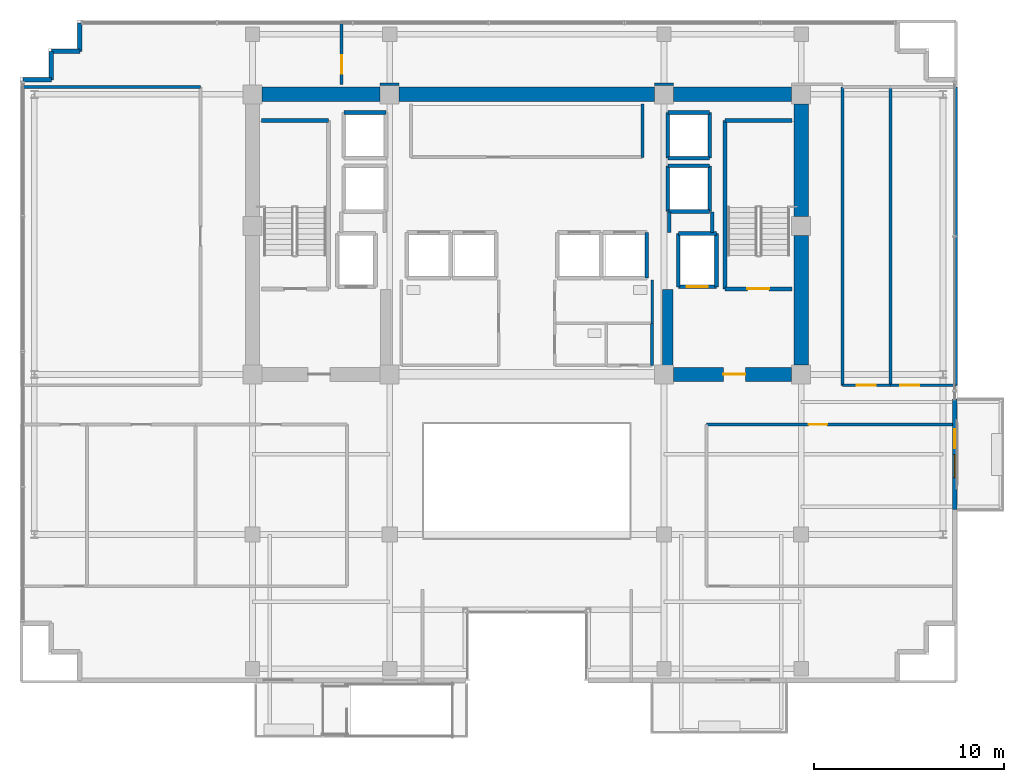
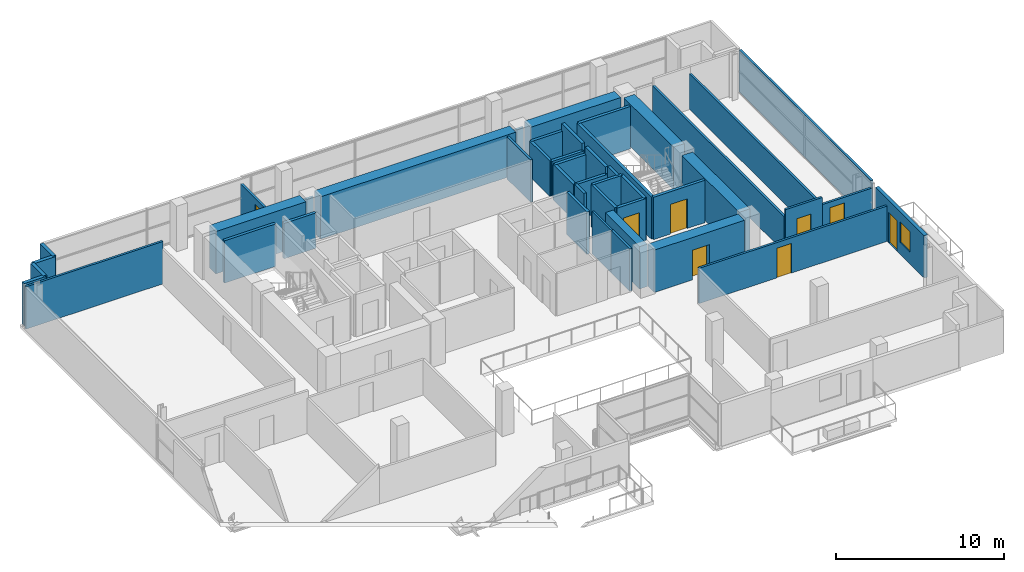
# One storey, part 19 of 23: 45 walls, 8 doors, 1 window, 9 openings.
"""IFC4 building model written with IfcOpenShell, lengths in metres."""

import ifcopenshell
import ifcopenshell.guid

model = None  # the IFC model being written
_history = None  # IfcOwnerHistory: only IFC2X3 demands one
_inside = {}  # id of a spatial element -> (the spatial element, [elements in it])
_under = {}  # id of a project, library or spatial element -> (it, [spatial elements below it])
_declared = {}  # id of a project -> (the project, [libraries it declares])
_typed = {}  # id of a type object -> (the type object, [elements of that type])
_made_of = {}  # id of a material, layer set ... -> (it, [elements and type objects made of it])


def new_model(schema):
    """Start an empty IFC model of exactly this schema.

    Asked for "IFC4X3", IfcOpenShell would pick the latest addendum, in which some entities
    have other attributes; the version numbers below select the first issue.
    IFC2X3 requires an IfcOwnerHistory on every rooted entity: one is made here for all.
    """
    global model, _history
    if schema == "IFC4X3":
        model = ifcopenshell.file(schema_version=(4, 3, 0, 0))
    else:
        model = ifcopenshell.file(schema=schema)
    _inside.clear()
    _under.clear()
    _declared.clear()
    _typed.clear()
    _made_of.clear()
    _history = None
    if model.schema == "IFC2X3":
        org = make("IfcOrganization", Name="unknown")
        user = make(
            "IfcPersonAndOrganization",
            ThePerson=make("IfcPerson", FamilyName="unknown"),
            TheOrganization=org,
        )
        app = make(
            "IfcApplication",
            ApplicationDeveloper=org,
            Version="unknown",
            ApplicationFullName="unknown",
            ApplicationIdentifier="unknown",
        )
        _history = make(
            "IfcOwnerHistory",
            OwningUser=user,
            OwningApplication=app,
            ChangeAction="ADDED",
            CreationDate=0,
        )
    return model


def make(cls, **values):
    """One entity of the class cls with the attributes given. An attribute that is None is left unset."""
    return model.create_entity(
        cls, **{name: value for name, value in values.items() if value is not None}
    )


def rooted(cls, **values):
    """An entity with a GlobalId (a new one), such as an element, a storey or a relation."""
    return make(cls, GlobalId=ifcopenshell.guid.new(), OwnerHistory=_history, **values)


def si_unit(unit_type, name, prefix=None):
    """IfcSIUnit, for example si_unit("LENGTHUNIT", "METRE", prefix="MILLI")."""
    return make("IfcSIUnit", UnitType=unit_type, Prefix=prefix, Name=name)


def assignment(units):
    """IfcUnitAssignment: the units of a project."""
    return None if units is None else make("IfcUnitAssignment", Units=units)


def point(xyz):
    """IfcCartesianPoint."""
    return None if xyz is None else make("IfcCartesianPoint", Coordinates=xyz)


def direction(xyz):
    """IfcDirection."""
    return None if xyz is None else make("IfcDirection", DirectionRatios=xyz)


def frame(location, z_axis=None, x_axis=None):
    """IfcAxis2Placement3D, a coordinate frame: its origin and axes. An axis left out is left unset."""
    return make(
        "IfcAxis2Placement3D",
        Location=point(location),
        Axis=direction(z_axis),
        RefDirection=direction(x_axis),
    )


def frame_2d(location, x_axis=None):
    """IfcAxis2Placement2D, a coordinate frame in the plane: its origin and x axis."""
    return make(
        "IfcAxis2Placement2D", Location=point(location), RefDirection=direction(x_axis)
    )


def origin():
    """The frame at (0, 0, 0) with its axes left unset."""
    return frame((0.0, 0.0, 0.0))


def place(relative_to, where):
    """IfcLocalPlacement: puts the frame where relative to a parent placement (None: the world)."""
    return make(
        "IfcLocalPlacement", PlacementRelTo=relative_to, RelativePlacement=where
    )


def context(
    kind, dimensions, precision=None, world=None, true_north=None, identifier=None
):
    """IfcGeometricRepresentationContext, for example the 3D "Model" context."""
    return make(
        "IfcGeometricRepresentationContext",
        ContextIdentifier=identifier,
        ContextType=kind,
        CoordinateSpaceDimension=dimensions,
        Precision=precision,
        WorldCoordinateSystem=world,
        TrueNorth=true_north,
    )


def subcontext(parent, identifier, kind, view, scale=None):
    """IfcGeometricRepresentationSubContext, for example "Body" below "Model"."""
    return make(
        "IfcGeometricRepresentationSubContext",
        ContextIdentifier=identifier,
        ContextType=kind,
        ParentContext=parent,
        TargetScale=scale,
        TargetView=view,
    )


def project(units=None, contexts=None):
    """IfcProject with its units and contexts."""
    return rooted(
        "IfcProject",
        Name="project",
        RepresentationContexts=contexts,
        UnitsInContext=assignment(units),
    )


def spatial(cls, under=None, at=None, **own):
    """A site, building, storey or space (cls), placed at a placement, below another one or the project."""
    s = rooted(cls, ObjectPlacement=at, **own)
    if under is not None:
        _under.setdefault(under.id(), (under, []))[1].append(s)
    return s


def profile(cls, at=None, kind="AREA", **sizes):
    """A parametric profile (cls). Its sizes go by their IFC names, for example OverallWidth=200.0."""
    return make(cls, ProfileType=kind, Position=at, **sizes)


def rectangle(**sizes):
    """IfcRectangleProfileDef."""
    return profile("IfcRectangleProfileDef", **sizes)


def extrude(swept, where, along, depth):
    """IfcExtrudedAreaSolid: the profile swept, set in the frame where, extruded along a direction by depth."""
    return make(
        "IfcExtrudedAreaSolid",
        SweptArea=swept,
        Position=where,
        ExtrudedDirection=direction(along),
        Depth=depth,
    )


def shape(context_of_items, identifier, shape_type, items):
    """IfcShapeRepresentation: the items that make up one representation, for example the "Body"."""
    return make(
        "IfcShapeRepresentation",
        ContextOfItems=context_of_items,
        RepresentationIdentifier=identifier,
        RepresentationType=shape_type,
        Items=items,
    )


def source(mapping_origin, context_of_items, identifier, shape_type, items):
    """IfcRepresentationMap: a shape defined once, which mapped items show again and again."""
    return make(
        "IfcRepresentationMap",
        MappingOrigin=mapping_origin,
        MappedRepresentation=shape(context_of_items, identifier, shape_type, items),
    )


def transform(
    local_origin,
    x_axis=None,
    y_axis=None,
    z_axis=None,
    scale=None,
    scale2=None,
    scale3=None,
    uniform=True,
):
    """IfcCartesianTransformationOperator3D, or its non-uniform kind. x_axis, y_axis, z_axis: its Axis1, 2, 3."""
    if uniform:
        return make(
            "IfcCartesianTransformationOperator3D",
            Axis1=direction(x_axis),
            Axis2=direction(y_axis),
            LocalOrigin=point(local_origin),
            Scale=scale,
            Axis3=direction(z_axis),
        )
    return make(
        "IfcCartesianTransformationOperator3DnonUniform",
        Axis1=direction(x_axis),
        Axis2=direction(y_axis),
        LocalOrigin=point(local_origin),
        Scale=scale,
        Axis3=direction(z_axis),
        Scale2=scale2,
        Scale3=scale3,
    )


def mapped(mapping_source, mapping_target):
    """IfcMappedItem: shows the shape of a source again, moved by a transform."""
    return make(
        "IfcMappedItem", MappingSource=mapping_source, MappingTarget=mapping_target
    )


def material(Name=None, Category=None):
    """IfcMaterial."""
    return make("IfcMaterial", Name=Name, Category=Category)


def layer(
    of_material, thickness, ventilated=None, Name=None, Category=None, Priority=None
):
    """IfcMaterialLayer: one layer of a wall or slab, of a material (None: an air gap)."""
    return make(
        "IfcMaterialLayer",
        Material=of_material,
        LayerThickness=thickness,
        IsVentilated=ventilated,
        Name=Name,
        Category=Category,
        Priority=Priority,
    )


def layer_set(layers, Name=None):
    """IfcMaterialLayerSet."""
    return make("IfcMaterialLayerSet", MaterialLayers=layers, LayerSetName=Name)


def made_of(thing, what):
    """Note that an element or type object is made of a material, layer set ...; save() writes the relation."""
    if what is not None:
        _made_of.setdefault(what.id(), (what, []))[1].append(thing)
    return thing


def type_object(cls, material=None, **own):
    """A type object (cls), such as IfcWallType, which elements share."""
    return made_of(rooted(cls, **own), material)


def element(
    cls,
    number,
    at=None,
    inside=None,
    cuts=None,
    type_object=None,
    material=None,
    context=None,
    identifier="Body",
    shape_type=None,
    held_by="IfcProductDefinitionShape",
    body=None,
    shapes=None,
    **own,
):
    """One element of the class cls, such as IfcWall. Its Tag is "e" and its number.

    at: its placement. inside: the storey or other place that contains it. cuts: it is an
    opening in that element (IfcRelVoidsElement). A single representation is given by context,
    identifier, shape_type and body (its items); several are given by shapes. held_by: the class
    of the entity that holds the representations. save() writes the other relations.
    """
    e = rooted(cls, Tag="e%d" % number, ObjectPlacement=at, **own)
    if body is not None:
        shapes = [shape(context, identifier, shape_type, body)]
    if shapes is not None:
        e.Representation = make(held_by, Representations=shapes)
    if inside is not None:
        _inside.setdefault(inside.id(), (inside, []))[1].append(e)
    if cuts is not None:
        rooted(
            "IfcRelVoidsElement", RelatingBuildingElement=cuts, RelatedOpeningElement=e
        )
    if type_object is not None:
        _typed.setdefault(type_object.id(), (type_object, []))[1].append(e)
    return made_of(e, material)


def fill(opening, filler):
    """IfcRelFillsElement: the door or window that sits in an opening."""
    return rooted(
        "IfcRelFillsElement",
        RelatingOpeningElement=opening,
        RelatedBuildingElement=filler,
    )


def aggregate(whole, parts):
    """IfcRelAggregates: a whole, such as a stair, and the parts it consists of."""
    return rooted("IfcRelAggregates", RelatingObject=whole, RelatedObjects=parts)


def save(model, path):
    """Write the relations noted so far, then the file.

    IfcRelAggregates (storeys below a building ...), IfcRelContainedInSpatialStructure (elements
    in a storey), IfcRelDefinesByType, IfcRelAssociatesMaterial and IfcRelDeclares: one each for
    every whole, place, type object, material and project.
    """
    for whole, parts in _under.values():
        aggregate(whole, parts)
    for where, things in _inside.values():
        rooted(
            "IfcRelContainedInSpatialStructure",
            RelatedElements=things,
            RelatingStructure=where,
        )
    for kind, things in _typed.values():
        rooted("IfcRelDefinesByType", RelatedObjects=things, RelatingType=kind)
    for what, things in _made_of.values():
        rooted("IfcRelAssociatesMaterial", RelatedObjects=things, RelatingMaterial=what)
    for by, libraries in _declared.values():
        rooted("IfcRelDeclares", RelatingContext=by, RelatedDefinitions=libraries)
    model.write(path)


model = new_model("IFC4")

# Units and contexts
model_context = context("Model", 3, precision=1e-05, world=origin(), true_north=direction((0.0, 1.0)))
body_context = subcontext(model_context, "Body", "Model", "MODEL_VIEW")
ifc_project = project(units=[si_unit("LENGTHUNIT", "METRE"), si_unit("AREAUNIT", "SQUARE_METRE"), si_unit("VOLUMEUNIT", "CUBIC_METRE"), si_unit("PLANEANGLEUNIT", "RADIAN"), si_unit("MASSUNIT", "GRAM", prefix="KILO")], contexts=[model_context])

# Site, building, storey
site_placement = place(None, origin())
site = spatial("IfcSite", under=ifc_project, at=site_placement, CompositionType="ELEMENT")
building_placement = place(site_placement, origin())
building = spatial("IfcBuilding", under=site, at=building_placement, Name="Zarnakvel Exchange Tower", CompositionType="ELEMENT")
storey_placement = place(building_placement, frame((0.0, 0.0, 149.5)))
storey = spatial("IfcBuildingStorey", under=building, at=storey_placement, Name="L41", CompositionType="ELEMENT", Elevation=149.5)

# Walls
ifc_material_1 = material(Name="Concrete C60/75", Category="concrete")
ifc_layer_1 = layer(ifc_material_1, 0.75)
ifc_layer_set_1 = layer_set([ifc_layer_1], Name="Concrete C60/75")
wall_type_1 = type_object("IfcWallType", Name="CW-C3", PredefinedType="SHEAR", material=ifc_layer_set_1)
wall_1_placement = place(storey_placement, frame((-13.89990234375, 13.5, 0.0), z_axis=(0.0, 0.0, 1.0), x_axis=(1.0, 0.0, 0.0)))
element("IfcWall", 1, at=wall_1_placement, inside=storey, type_object=wall_type_1, Name="L41 Rear Core Shear Wall N1 (CW-C3)", PredefinedType="SHEAR", context=body_context, shape_type="SweptSolid", body=[
    extrude(rectangle(XDim=6.199951171875, YDim=0.75, at=frame_2d((3.10009765625, 0.0))), origin(), (0.0, 0.0, 1.0), 3.074951171875),
])
wall_2_placement = place(storey_placement, frame((-6.699951171875, 13.5, 0.0), z_axis=(0.0, 0.0, 1.0), x_axis=(1.0, 0.0, 0.0)))
element("IfcWall", 2, at=wall_2_placement, inside=storey, type_object=wall_type_1, Name="L41 Rear Core Shear Wall N2 (CW-C3)", PredefinedType="SHEAR", context=body_context, shape_type="SweptSolid", body=[
    extrude(rectangle(XDim=13.39990234375, YDim=0.75, at=frame_2d((6.699951171875, 0.0))), origin(), (0.0, 0.0, 1.0), 3.074951171875),
])
wall_3_placement = place(storey_placement, frame((7.699951171875, 13.5, 0.0), z_axis=(0.0, 0.0, 1.0), x_axis=(1.0, 0.0, 0.0)))
element("IfcWall", 3, at=wall_3_placement, inside=storey, type_object=wall_type_1, Name="L41 Rear Core Shear Wall N3 (CW-C3)", PredefinedType="SHEAR", context=body_context, shape_type="SweptSolid", body=[
    extrude(rectangle(XDim=6.199951171875, YDim=0.75, at=frame_2d((3.10009765625, 0.0))), origin(), (0.0, 0.0, 1.0), 3.074951171875),
])
wall_4_placement = place(storey_placement, frame((14.39990234375, -0.699951171875, 0.0), z_axis=(0.0, 0.0, 1.0), x_axis=(0.0, 1.0, 0.0)))
element("IfcWall", 4, at=wall_4_placement, inside=storey, type_object=wall_type_1, Name="L41 Rear Core Shear Wall E1 (CW-C3)", PredefinedType="SHEAR", context=body_context, shape_type="SweptSolid", body=[
    extrude(rectangle(XDim=6.800048828125, YDim=0.75, at=frame_2d((3.39990234375, 0.0))), origin(), (0.0, 0.0, 1.0), 3.074951171875),
])
wall_5_placement = place(storey_placement, frame((14.39990234375, 7.10009765625, 0.0), z_axis=(0.0, 0.0, 1.0), x_axis=(0.0, 1.0, 0.0)))
element("IfcWall", 5, at=wall_5_placement, inside=storey, type_object=wall_type_1, Name="L41 Rear Core Shear Wall E2 (CW-C3)", PredefinedType="SHEAR", context=body_context, shape_type="SweptSolid", body=[
    extrude(rectangle(XDim=5.89990234375, YDim=0.75, at=frame_2d((2.949951171875, 0.0))), origin(), (0.0, 0.0, 1.0), 3.074951171875),
])

# Wall, opening, door
wall_6_placement = place(storey_placement, frame((13.89990234375, -1.199951171875, 0.0), z_axis=(0.0, 0.0, 1.0), x_axis=(-1.0, 0.0, 0.0)))
wall_6 = element("IfcWall", 6, at=wall_6_placement, inside=storey, type_object=wall_type_1, Name="L41 Rear Core Shear Wall SE (CW-C3)", PredefinedType="SHEAR", context=body_context, shape_type="SweptSolid", body=[
    extrude(rectangle(XDim=6.199951171875, YDim=0.75, at=frame_2d((3.10009765625, 0.0))), origin(), (0.0, 0.0, 1.0), 3.074951171875),
])
opening_1_placement = place(wall_6_placement, frame((2.425048828125, 0.0, 0.0)))
opening_1 = element("IfcOpeningElement", 7, at=opening_1_placement, cuts=wall_6, Name="Opening D-L41-04", PredefinedType="OPENING", context=body_context, shape_type="SweptSolid", body=[
    extrude(rectangle(XDim=1.14990234375, YDim=2.14990234375, at=frame_2d((0.574951171875, 1.074951171875))), frame((0.0, 0.385009765625, 0.0), z_axis=(0.0, -1.0, 0.0), x_axis=(1.0, 0.0, 0.0)), (0.0, 0.0, 1.0), 0.77001953125),
])
ifc_material_2 = material(Name="Painted Galvanised Steel S355", Category="steel")
door_type_1 = type_object("IfcDoorType", Name="DT-04", OperationType="NOTDEFINED", PredefinedType="DOOR", material=ifc_material_2)
shared_shape_1 = source(origin(), body_context, "Body", "SweptSolid", [
    extrude(rectangle(XDim=1.14990234375, YDim=2.14990234375, at=frame_2d((0.574951171875, 1.074951171875))), frame((0.0, 0.02490234375, 0.0), z_axis=(0.0, -1.0, 0.0), x_axis=(1.0, 0.0, 0.0)), (0.0, 0.0, 1.0), 0.050048828125),
])
door_1_placement = place(opening_1_placement, origin())
door_1 = element("IfcDoor", 8, at=door_1_placement, inside=storey, type_object=door_type_1, Name="L41 Firefighting Lobby East Door D-L41-04", OperationType="SINGLE_SWING_LEFT", OverallHeight=2.14990234375, OverallWidth=1.14990234375, PredefinedType="DOOR", context=body_context, shape_type="MappedRepresentation", body=[
    mapped(shared_shape_1, transform((0.0, 0.0, 0.0), x_axis=(1.0, 0.0, 0.0), y_axis=(0.0, 1.0, 0.0), z_axis=(0.0, 0.0, 1.0), scale=1.0)),
])
fill(opening_1, door_1)

# Wall
ifc_layer_2 = layer(ifc_material_1, 0.550048828125)
ifc_layer_set_2 = layer_set([ifc_layer_2], Name="Concrete C60/75")
wall_type_2 = type_object("IfcWallType", Name="CW-C4", PredefinedType="SHEAR", material=ifc_layer_set_2)
wall_7_placement = place(storey_placement, frame((7.39990234375, -0.824951171875, 0.0), z_axis=(0.0, 0.0, 1.0), x_axis=(0.0, 1.0, 0.0)))
element("IfcWall", 9, at=wall_7_placement, inside=storey, type_object=wall_type_2, Name="L41 Rear Core Shear Wall IE (CW-C4)", PredefinedType="SHEAR", context=body_context, shape_type="SweptSolid", body=[
    extrude(rectangle(XDim=4.074951171875, YDim=0.550048828125, at=frame_2d((2.03759765625, 0.0))), origin(), (0.0, 0.0, 1.0), 3.074951171875),
])

# Wall, openings, door, window
ifc_material_3 = material(Name="Precast concrete C40/50", Category="concrete")
ifc_layer_3 = layer(ifc_material_3, 0.239990234375)
ifc_layer_set_3 = layer_set([ifc_layer_3], Name="Precast concrete C40/50")
wall_type_3 = type_object("IfcWallType", Name="EW-02", PredefinedType="SOLIDWALL", material=ifc_layer_set_3)
wall_8_placement = place(storey_placement, frame((22.4599609375, -2.5, 0.0), z_axis=(0.0, 0.0, 1.0), x_axis=(0.0, -1.0, 0.0)))
wall_8 = element("IfcWall", 10, at=wall_8_placement, inside=storey, type_object=wall_type_3, Name="L41 Exterior Precast Spandrel Wall EW-BAL-L41-E (EW-02)", PredefinedType="SOLIDWALL", context=body_context, shape_type="SweptSolid", body=[
    extrude(rectangle(XDim=5.800048828125, YDim=0.239990234375, at=frame_2d((2.89990234375, 0.0))), origin(), (0.0, 0.0, 1.0), 3.074951171875),
])
opening_2_placement = place(wall_8_placement, frame((1.56591796875, 0.0, 0.0)))
opening_2 = element("IfcOpeningElement", 11, at=opening_2_placement, cuts=wall_8, Name="Opening BD-L41-02", PredefinedType="OPENING", context=body_context, shape_type="SweptSolid", body=[
    extrude(rectangle(XDim=1.0, YDim=2.199951171875, at=frame_2d((0.5, 1.10009765625))), frame((0.0, 0.1298828125, 0.0), z_axis=(0.0, -1.0, 0.0), x_axis=(1.0, 0.0, 0.0)), (0.0, 0.0, 1.0), 0.260009765625),
])
opening_3_placement = place(wall_8_placement, frame((2.916015625, 0.0, 0.85009765625)))
opening_3 = element("IfcOpeningElement", 12, at=opening_3_placement, cuts=wall_8, Name="Opening WN-04", PredefinedType="OPENING", context=body_context, shape_type="SweptSolid", body=[
    extrude(rectangle(XDim=1.199951171875, YDim=1.5, at=frame_2d((0.60009765625, 0.75))), frame((0.0, 0.1298828125, 0.0), z_axis=(0.0, -1.0, 0.0), x_axis=(1.0, 0.0, 0.0)), (0.0, 0.0, 1.0), 0.260009765625),
])
ifc_material_4 = material(Name="Architectural Bronze Anodised Aluminium", Category="aluminium")
door_type_2 = type_object("IfcDoorType", Name="DT-09", OperationType="NOTDEFINED", PredefinedType="DOOR", material=ifc_material_4)
shared_shape_2 = source(origin(), body_context, "Body", "SweptSolid", [
    extrude(rectangle(XDim=1.0, YDim=2.199951171875, at=frame_2d((0.5, 1.10009765625))), frame((0.0, 0.02490234375, 0.0), z_axis=(0.0, -1.0, 0.0), x_axis=(1.0, 0.0, 0.0)), (0.0, 0.0, 1.0), 0.050048828125),
])
door_2_placement = place(opening_2_placement, origin())
door_2 = element("IfcDoor", 13, at=door_2_placement, inside=storey, type_object=door_type_2, Name="L41 Planted Loggia Balcony Door BD-L41-02", OperationType="SINGLE_SWING_RIGHT", OverallHeight=2.199951171875, OverallWidth=1.0, PredefinedType="DOOR", context=body_context, shape_type="MappedRepresentation", body=[
    mapped(shared_shape_2, transform((0.0, 0.0, 0.0), x_axis=(1.0, 0.0, 0.0), y_axis=(0.0, 1.0, 0.0), z_axis=(0.0, 0.0, 1.0), scale=1.0)),
])
fill(opening_2, door_2)
ifc_material_5 = material(Name="Double Low-E Laminated Vision Glass", Category="glass")
window_type = type_object("IfcWindowType", Name="WN-04", PartitioningType="SINGLE_PANEL", PredefinedType="WINDOW", material=ifc_material_5)
shared_shape_3 = source(origin(), body_context, "Body", "SweptSolid", [
    extrude(rectangle(XDim=1.199951171875, YDim=1.5, at=frame_2d((0.60009765625, 0.75))), frame((0.0, 0.030029296875, 0.0), z_axis=(0.0, -1.0, 0.0), x_axis=(1.0, 0.0, 0.0)), (0.0, 0.0, 1.0), 0.06005859375),
])
window_placement = place(opening_3_placement, origin())
window = element("IfcWindow", 14, at=window_placement, inside=storey, type_object=window_type, Name="L41 Loggia Daylight Window (WN-04)", OverallHeight=1.5, OverallWidth=1.199951171875, PartitioningType="SINGLE_PANEL", PredefinedType="WINDOW", context=body_context, shape_type="MappedRepresentation", body=[
    mapped(shared_shape_3, transform((0.0, 0.0, 0.0), x_axis=(1.0, 0.0, 0.0), y_axis=(0.0, 1.0, 0.0), z_axis=(0.0, 0.0, 1.0), scale=1.0)),
])
fill(opening_3, window)

# Walls
for number, where, z_axis, x_axis, name in (
    (15, (-24.9599609375, 14.260009765625, 0.0), (0.0, 0.0, 1.0), (-1.0, 0.0, 0.0), "L41 Exterior Precast Spandrel Wall EWC-L41-01 (EW-02)"),
    (16, (-24.9599609375, 15.760009765625, 0.0), (0.0, 0.0, 1.0), (0.0, -1.0, 0.0), "L41 Exterior Precast Spandrel Wall EWC-L41-02 (EW-02)"),
    (17, (-23.4599609375, 15.760009765625, 0.0), (0.0, 0.0, 1.0), (-1.0, 0.0, 0.0), "L41 Exterior Precast Spandrel Wall EWC-L41-03 (EW-02)"),
    (18, (-23.4599609375, 17.260009765625, 0.0), (0.0, 0.0, 1.0), (0.0, -1.0, 0.0), "L41 Exterior Precast Spandrel Wall EWC-L41-04 (EW-02)"),
):
    element("IfcWall", number, at=place(storey_placement, frame(where, z_axis=z_axis, x_axis=x_axis)), inside=storey, type_object=wall_type_3, Name=name, PredefinedType="SOLIDWALL", context=body_context, shape_type="SweptSolid", body=[
        extrude(rectangle(XDim=1.5, YDim=0.239990234375, at=frame_2d((0.75, 0.0))), origin(), (0.0, 0.0, 1.0), 3.074951171875),
    ])
ifc_material_6 = material(Name="Fire-Rated Gypsum Stud Partition", Category="gypsum")
ifc_layer_4 = layer(ifc_material_6, 0.14990234375)
ifc_layer_set_4 = layer_set([ifc_layer_4], Name="Fire-Rated Gypsum Stud Partition")
wall_type_4 = type_object("IfcWallType", Name="PT-01", PredefinedType="PARTITIONING", material=ifc_layer_set_4)
wall_9_placement = place(storey_placement, frame((6.080078125, 13.0, 0.0), z_axis=(0.0, 0.0, 1.0), x_axis=(0.0, -1.0, 0.0)))
element("IfcWall", 19, at=wall_9_placement, inside=storey, type_object=wall_type_4, Name="L41 Partition Wall PWALL-L41-013 (PT-01)", PredefinedType="PARTITIONING", context=body_context, shape_type="SweptSolid", body=[
    extrude(rectangle(XDim=2.800048828125, YDim=0.14990234375, at=frame_2d((1.39990234375, 0.0))), origin(), (0.0, 0.0, 1.0), 3.074951171875),
])
wall_10_placement = place(storey_placement, frame((6.580078125, 1.47998046875, 0.0), z_axis=(0.0, 0.0, 1.0), x_axis=(0.0, -1.0, 0.0)))
element("IfcWall", 20, at=wall_10_placement, inside=storey, type_object=wall_type_4, Name="L41 Partition Wall PWALL-L41-024 (PT-01)", PredefinedType="PARTITIONING", context=body_context, shape_type="SweptSolid", body=[
    extrude(rectangle(XDim=2.2099609375, YDim=0.14990234375, at=frame_2d((1.10498046875, 0.0))), origin(), (0.0, 0.0, 1.0), 3.074951171875),
])

# Wall, opening, door
wall_11_placement = place(storey_placement, frame((9.429931640625, -3.830078125, 0.0), z_axis=(0.0, 0.0, 1.0), x_axis=(1.0, 0.0, 0.0)))
wall_11 = element("IfcWall", 21, at=wall_11_placement, inside=storey, type_object=wall_type_4, Name="L41 Partition Wall PWALL-L41-039 (PT-01)", PredefinedType="PARTITIONING", context=body_context, shape_type="SweptSolid", body=[
    extrude(rectangle(XDim=13.10009765625, YDim=0.14990234375, at=frame_2d((6.550048828125, 0.0))), origin(), (0.0, 0.0, 1.0), 2.56494140625),
])
opening_4_placement = place(wall_11_placement, frame((5.360107421875, 0.0, 0.0)))
opening_4 = element("IfcOpeningElement", 22, at=opening_4_placement, cuts=wall_11, Name="Opening D-L41-14", PredefinedType="OPENING", context=body_context, shape_type="SweptSolid", body=[
    extrude(rectangle(XDim=0.97998046875, YDim=2.14990234375, at=frame_2d((0.489990234375, 1.074951171875))), frame((0.0, 0.0849609375, 0.0), z_axis=(0.0, -1.0, 0.0), x_axis=(1.0, 0.0, 0.0)), (0.0, 0.0, 1.0), 0.169921875),
])
ifc_material_7 = material(Name="Timber Acoustic Veneer", Category="wood")
door_type_3 = type_object("IfcDoorType", Name="DT-05", OperationType="NOTDEFINED", PredefinedType="DOOR", material=ifc_material_7)
shared_shape_4 = source(origin(), body_context, "Body", "SweptSolid", [
    extrude(rectangle(XDim=0.97998046875, YDim=2.14990234375, at=frame_2d((0.489990234375, 1.074951171875))), frame((0.0, 0.02490234375, 0.0), z_axis=(0.0, -1.0, 0.0), x_axis=(1.0, 0.0, 0.0)), (0.0, 0.0, 1.0), 0.050048828125),
])
door_3_placement = place(opening_4_placement, origin())
door_3 = element("IfcDoor", 23, at=door_3_placement, inside=storey, type_object=door_type_3, Name="L41 Executive Conference Room Door D-L41-14", OperationType="SINGLE_SWING_LEFT", OverallHeight=2.14990234375, OverallWidth=0.97998046875, PredefinedType="DOOR", context=body_context, shape_type="MappedRepresentation", body=[
    mapped(shared_shape_4, transform((0.0, 0.0, 0.0), x_axis=(1.0, 0.0, 0.0), y_axis=(0.0, 1.0, 0.0), z_axis=(0.0, 0.0, 1.0), scale=1.0)),
])
fill(opening_4, door_3)

# Wall
wall_12_placement = place(storey_placement, frame((-26.530029296875, 13.8798828125, 0.0), z_axis=(0.0, 0.0, 1.0), x_axis=(1.0, 0.0, 0.0)))
element("IfcWall", 24, at=wall_12_placement, inside=storey, type_object=wall_type_4, Name="L41 Partition Wall PWALL-L41-046 (PT-01)", PredefinedType="PARTITIONING", context=body_context, shape_type="SweptSolid", body=[
    extrude(rectangle(XDim=9.400146484375, YDim=0.14990234375, at=frame_2d((4.7001953125, 0.0))), origin(), (0.0, 0.0, 1.0), 3.074951171875),
])

# Wall, opening, door
wall_13_placement = place(storey_placement, frame((19.0830078125, -1.77001953125, 0.0), z_axis=(0.0, 0.0, 1.0), x_axis=(-1.0, 0.0, 0.0)))
wall_13 = element("IfcWall", 25, at=wall_13_placement, inside=storey, type_object=wall_type_4, Name="L41 Partition Wall PWALL-L41-049 (PT-01)", PredefinedType="PARTITIONING", context=body_context, shape_type="SweptSolid", body=[
    extrude(rectangle(XDim=2.52001953125, YDim=0.14990234375, at=frame_2d((1.260009765625, 0.0))), origin(), (0.0, 0.0, 1.0), 3.074951171875),
])
opening_5_placement = place(wall_13_placement, frame((0.77001953125, 0.0, 0.0)))
opening_5 = element("IfcOpeningElement", 26, at=opening_5_placement, cuts=wall_13, Name="Opening D-L41-17", PredefinedType="OPENING", context=body_context, shape_type="SweptSolid", body=[
    extrude(rectangle(XDim=0.97998046875, YDim=2.14990234375, at=frame_2d((0.489990234375, 1.074951171875))), frame((0.0, 0.0849609375, 0.0), z_axis=(0.0, -1.0, 0.0), x_axis=(1.0, 0.0, 0.0)), (0.0, 0.0, 1.0), 0.169921875),
])
door_4_placement = place(opening_5_placement, origin())
door_4 = element("IfcDoor", 27, at=door_4_placement, inside=storey, type_object=door_type_3, Name="L41 Briefing Room Door D-L41-17", OperationType="SINGLE_SWING_RIGHT", OverallHeight=2.14990234375, OverallWidth=0.97998046875, PredefinedType="DOOR", context=body_context, shape_type="MappedRepresentation", body=[
    mapped(shared_shape_4, transform((0.0, 0.0, 0.0), x_axis=(1.0, 0.0, 0.0), y_axis=(0.0, 1.0, 0.0), z_axis=(0.0, 0.0, 1.0), scale=1.0)),
])
fill(opening_5, door_4)

# Walls
for number, where, z_axis, x_axis, name in (
    (28, (16.56298828125, -1.77001953125, 0.0), (0.0, 0.0, 1.0), (0.0, 1.0, 0.0), "L41 Partition Wall PWALL-L41-051 (PT-01)"),
    (29, (19.0830078125, 13.8798828125, 0.0), (0.0, 0.0, 1.0), (0.0, -1.0, 0.0), "L41 Partition Wall PWALL-L41-052 (PT-01)"),
):
    element("IfcWall", number, at=place(storey_placement, frame(where, z_axis=z_axis, x_axis=x_axis)), inside=storey, type_object=wall_type_4, Name=name, PredefinedType="PARTITIONING", context=body_context, shape_type="SweptSolid", body=[
        extrude(rectangle(XDim=15.64990234375, YDim=0.14990234375, at=frame_2d((7.824951171875, 0.0))), origin(), (0.0, 0.0, 1.0), 2.56494140625),
    ])

# Wall, opening, door
wall_14_placement = place(storey_placement, frame((22.530029296875, -1.77001953125, 0.0), z_axis=(0.0, 0.0, 1.0), x_axis=(-1.0, 0.0, 0.0)))
wall_14 = element("IfcWall", 30, at=wall_14_placement, inside=storey, type_object=wall_type_4, Name="L41 Partition Wall PWALL-L41-053 (PT-01)", PredefinedType="PARTITIONING", context=body_context, shape_type="SweptSolid", body=[
    extrude(rectangle(XDim=3.447021484375, YDim=0.14990234375, at=frame_2d((1.7236328125, 0.0))), origin(), (0.0, 0.0, 1.0), 2.56494140625),
])
opening_6_placement = place(wall_14_placement, frame((1.93408203125, 0.0, 0.0)))
opening_6 = element("IfcOpeningElement", 31, at=opening_6_placement, cuts=wall_14, Name="Opening D-L41-18", PredefinedType="OPENING", context=body_context, shape_type="SweptSolid", body=[
    extrude(rectangle(XDim=0.97998046875, YDim=2.14990234375, at=frame_2d((0.489990234375, 1.074951171875))), frame((0.0, 0.0849609375, 0.0), z_axis=(0.0, -1.0, 0.0), x_axis=(1.0, 0.0, 0.0)), (0.0, 0.0, 1.0), 0.169921875),
])
door_5_placement = place(opening_6_placement, origin())
door_5 = element("IfcDoor", 32, at=door_5_placement, inside=storey, type_object=door_type_3, Name="L41 Observation Lounge Door D-L41-18", OperationType="SINGLE_SWING_LEFT", OverallHeight=2.14990234375, OverallWidth=0.97998046875, PredefinedType="DOOR", context=body_context, shape_type="MappedRepresentation", body=[
    mapped(shared_shape_4, transform((0.0, 0.0, 0.0), x_axis=(1.0, 0.0, 0.0), y_axis=(0.0, 1.0, 0.0), z_axis=(0.0, 0.0, 1.0), scale=1.0)),
])
fill(opening_6, door_5)

# Walls
wall_15_placement = place(storey_placement, frame((22.530029296875, 13.8798828125, 0.0), z_axis=(0.0, 0.0, 1.0), x_axis=(0.0, -1.0, 0.0)))
element("IfcWall", 33, at=wall_15_placement, inside=storey, type_object=wall_type_4, Name="L41 Partition Wall PWALL-L41-055 (PT-01)", PredefinedType="PARTITIONING", context=body_context, shape_type="SweptSolid", body=[
    extrude(rectangle(XDim=15.64990234375, YDim=0.14990234375, at=frame_2d((7.824951171875, 0.0))), origin(), (0.0, 0.0, 1.0), 3.074951171875),
])
for number, where, z_axis, x_axis, name in (
    (34, (-6.699951171875, 14.030029296875, 0.0), (0.0, 0.0, 1.0), (-1.0, 0.0, 0.0), "L41 Partition Wall PWALL-L41-056 (PT-01)"),
    (35, (7.699951171875, 14.030029296875, 0.0), (0.0, 0.0, 1.0), (-1.0, 0.0, 0.0), "L41 Partition Wall PWALL-L41-057 (PT-01)"),
):
    element("IfcWall", number, at=place(storey_placement, frame(where, z_axis=z_axis, x_axis=x_axis)), inside=storey, type_object=wall_type_4, Name=name, PredefinedType="PARTITIONING", context=body_context, shape_type="SweptSolid", body=[
        extrude(rectangle(XDim=1.0, YDim=0.14990234375, at=frame_2d((0.5, 0.0))), origin(), (0.0, 0.0, 1.0), 2.56494140625),
    ])

# Wall, opening, door
wall_16_placement = place(storey_placement, frame((-9.719970703125, 14.030029296875, 0.0), z_axis=(0.0, 0.0, 1.0), x_axis=(0.0, 1.0, 0.0)))
wall_16 = element("IfcWall", 36, at=wall_16_placement, inside=storey, type_object=wall_type_4, Name="L41 Partition Wall PWALL-L41-060 (PT-01)", PredefinedType="PARTITIONING", context=body_context, shape_type="SweptSolid", body=[
    extrude(rectangle(XDim=3.300048828125, YDim=0.14990234375, at=frame_2d((1.64990234375, 0.0))), origin(), (0.0, 0.0, 1.0), 2.56494140625),
])
opening_7_placement = place(wall_16_placement, frame((0.550048828125, 0.0, 0.0)))
opening_7 = element("IfcOpeningElement", 37, at=opening_7_placement, cuts=wall_16, Name="Opening D-L41-19", PredefinedType="OPENING", context=body_context, shape_type="SweptSolid", body=[
    extrude(rectangle(XDim=0.97998046875, YDim=2.14990234375, at=frame_2d((0.489990234375, 1.074951171875))), frame((0.0, 0.0849609375, 0.0), z_axis=(0.0, -1.0, 0.0), x_axis=(1.0, 0.0, 0.0)), (0.0, 0.0, 1.0), 0.169921875),
])
door_6_placement = place(opening_7_placement, origin())
door_6 = element("IfcDoor", 38, at=door_6_placement, inside=storey, type_object=door_type_3, Name="L41 Briefing Room Door D-L41-19", OperationType="SINGLE_SWING_RIGHT", OverallHeight=2.14990234375, OverallWidth=0.97998046875, PredefinedType="DOOR", context=body_context, shape_type="MappedRepresentation", body=[
    mapped(shared_shape_4, transform((0.0, 0.0, 0.0), x_axis=(1.0, 0.0, 0.0), y_axis=(0.0, 1.0, 0.0), z_axis=(0.0, 0.0, 1.0), scale=1.0)),
])
fill(opening_7, door_6)

# Walls
ifc_layer_5 = layer(ifc_material_6, 0.179931640625)
ifc_layer_set_5 = layer_set([ifc_layer_5], Name="Fire-Rated Gypsum Stud Partition")
wall_type_5 = type_object("IfcWallType", Name="PT-02", PredefinedType="PARTITIONING", material=ifc_layer_set_5)
wall_17_placement = place(storey_placement, frame((7.469970703125, 6.239990234375, 0.0), z_axis=(0.0, 0.0, 1.0), x_axis=(0.0, 1.0, 0.0)))
element("IfcWall", 39, at=wall_17_placement, inside=storey, type_object=wall_type_5, Name="L41 Partition Wall PWALL-L41-009 (PT-02)", PredefinedType="PARTITIONING", context=body_context, shape_type="SweptSolid", body=[
    extrude(rectangle(XDim=1.090087890625, YDim=0.179931640625, at=frame_2d((0.544921875, 0.0))), origin(), (0.0, 0.0, 1.0), 2.56494140625),
])
wall_18_placement = place(storey_placement, frame((9.72998046875, 7.330078125, 0.0), z_axis=(0.0, 0.0, 1.0), x_axis=(0.0, -1.0, 0.0)))
element("IfcWall", 40, at=wall_18_placement, inside=storey, type_object=wall_type_5, Name="L41 Partition Wall PWALL-L41-010 (PT-02)", PredefinedType="PARTITIONING", context=body_context, shape_type="SweptSolid", body=[
    extrude(rectangle(XDim=1.090087890625, YDim=0.179931640625, at=frame_2d((0.544921875, 0.0))), origin(), (0.0, 0.0, 1.0), 3.074951171875),
])
ifc_material_8 = material(Name="Moisture-Resistant Tile-Faced Partition", Category="gypsum")
ifc_layer_6 = layer(ifc_material_8, 0.135009765625)
ifc_layer_set_6 = layer_set([ifc_layer_6], Name="Moisture-Resistant Tile-Faced Partition")
wall_type_6 = type_object("IfcWallType", Name="PT-03", PredefinedType="PARTITIONING", material=ifc_layer_set_6)
wall_19_placement = place(storey_placement, frame((6.580078125, 3.760009765625, 0.0), z_axis=(0.0, 0.0, 1.0), x_axis=(0.0, -1.0, 0.0)))
element("IfcWall", 41, at=wall_19_placement, inside=storey, type_object=wall_type_6, Name="L41 Partition Wall PWALL-L41-019 (PT-03)", PredefinedType="PARTITIONING", context=body_context, shape_type="SweptSolid", body=[
    extrude(rectangle(XDim=2.280029296875, YDim=0.135009765625, at=frame_2d((1.14013671875, 0.0))), origin(), (0.0, 0.0, 1.0), 3.074951171875),
])

# Wall, opening, door
ifc_material_9 = material(Name="Concrete C40/50", Category="concrete")
ifc_layer_7 = layer(ifc_material_9, 0.199951171875)
ifc_layer_set_7 = layer_set([ifc_layer_7], Name="Concrete C40/50")
wall_type_7 = type_object("IfcWallType", Name="SW-01", PredefinedType="SOLIDWALL", material=ifc_layer_set_7)
wall_20_placement = place(storey_placement, frame((9.949951171875, 3.39990234375, 0.0), z_axis=(0.0, 0.0, 1.0), x_axis=(-1.0, 0.0, 0.0)))
wall_20 = element("IfcWall", 42, at=wall_20_placement, inside=storey, type_object=wall_type_7, Name="L41 FL-02 Hoistway Wall South", PredefinedType="SOLIDWALL", context=body_context, shape_type="SweptSolid", body=[
    extrude(rectangle(XDim=2.0, YDim=0.199951171875, at=frame_2d((1.0, 0.0))), origin(), (0.0, 0.0, 1.0), 3.074951171875),
])
opening_8_placement = place(wall_20_placement, frame((0.449951171875, 0.0, 0.0)))
opening_8 = element("IfcOpeningElement", 43, at=opening_8_placement, cuts=wall_20, Name="Opening LD-FL-02-L41", PredefinedType="OPENING", context=body_context, shape_type="SweptSolid", body=[
    extrude(rectangle(XDim=1.10009765625, YDim=2.199951171875, at=frame_2d((0.550048828125, 1.10009765625))), frame((0.0, 0.10986328125, 0.0), z_axis=(0.0, -1.0, 0.0), x_axis=(1.0, 0.0, 0.0)), (0.0, 0.0, 1.0), 0.219970703125),
])
ifc_material_10 = material(Name="Brushed Stainless Steel", Category="steel")
door_type_4 = type_object("IfcDoorType", Name="LDT-01", OperationType="NOTDEFINED", PredefinedType="DOOR", material=ifc_material_10)
shared_shape_5 = source(origin(), body_context, "Body", "SweptSolid", [
    extrude(rectangle(XDim=1.10009765625, YDim=2.199951171875, at=frame_2d((0.550048828125, 1.10009765625))), frame((0.0, 0.02490234375, 0.0), z_axis=(0.0, -1.0, 0.0), x_axis=(1.0, 0.0, 0.0)), (0.0, 0.0, 1.0), 0.050048828125),
])
door_7_placement = place(opening_8_placement, origin())
door_7 = element("IfcDoor", 44, at=door_7_placement, inside=storey, type_object=door_type_4, Name="L41 FL-02 Lift Landing Door LD-FL-02-L41", OperationType="DOUBLE_DOOR_SLIDING", OverallHeight=2.199951171875, OverallWidth=1.10009765625, PredefinedType="DOOR", context=body_context, shape_type="MappedRepresentation", body=[
    mapped(shared_shape_5, transform((0.0, 0.0, 0.0), x_axis=(1.0, 0.0, 0.0), y_axis=(0.0, 1.0, 0.0), z_axis=(0.0, 0.0, 1.0), scale=1.0)),
])
fill(opening_8, door_7)

# Walls
wall_21_placement = place(storey_placement, frame((7.949951171875, 6.199951171875, 0.0), z_axis=(0.0, 0.0, 1.0), x_axis=(1.0, 0.0, 0.0)))
element("IfcWall", 45, at=wall_21_placement, inside=storey, type_object=wall_type_7, Name="L41 FL-02 Hoistway Wall North", PredefinedType="SOLIDWALL", context=body_context, shape_type="SweptSolid", body=[
    extrude(rectangle(XDim=2.0, YDim=0.199951171875, at=frame_2d((1.0, 0.0))), origin(), (0.0, 0.0, 1.0), 3.074951171875),
])
for number, where, z_axis, x_axis, name in (
    (46, (7.949951171875, 3.39990234375, 0.0), (0.0, 0.0, 1.0), (0.0, 1.0, 0.0), "L41 FL-02 Hoistway Wall West"),
    (47, (9.949951171875, 6.199951171875, 0.0), (0.0, 0.0, 1.0), (0.0, -1.0, 0.0), "L41 FL-02 Hoistway Wall East"),
):
    element("IfcWall", number, at=place(storey_placement, frame(where, z_axis=z_axis, x_axis=x_axis)), inside=storey, type_object=wall_type_7, Name=name, PredefinedType="SOLIDWALL", context=body_context, shape_type="SweptSolid", body=[
        extrude(rectangle(XDim=2.800048828125, YDim=0.199951171875, at=frame_2d((1.39990234375, 0.0))), origin(), (0.0, 0.0, 1.0), 3.074951171875),
    ])
wall_22_placement = place(storey_placement, frame((6.300048828125, 6.25, 0.0), z_axis=(0.0, 0.0, 1.0), x_axis=(0.0, -1.0, 0.0)))
element("IfcWall", 48, at=wall_22_placement, inside=storey, type_object=wall_type_7, Name="L41 PL-08 Hoistway Wall East", PredefinedType="SOLIDWALL", context=body_context, shape_type="SweptSolid", body=[
    extrude(rectangle(XDim=2.39990234375, YDim=0.199951171875, at=frame_2d((1.199951171875, 0.0))), origin(), (0.0, 0.0, 1.0), 3.074951171875),
])
for number, where, z_axis, x_axis, name in (
    (49, (-9.60009765625, 12.550048828125, 0.0), (0.0, 0.0, 1.0), (1.0, 0.0, 0.0), "L41 PL-10 Hoistway Wall North"),
    (50, (9.60009765625, 7.35009765625, 0.0), (0.0, 0.0, 1.0), (-1.0, 0.0, 0.0), "L41 PL-11 Hoistway Wall South"),
    (51, (7.39990234375, 9.75, 0.0), (0.0, 0.0, 1.0), (1.0, 0.0, 0.0), "L41 PL-11 Hoistway Wall North"),
):
    element("IfcWall", number, at=place(storey_placement, frame(where, z_axis=z_axis, x_axis=x_axis)), inside=storey, type_object=wall_type_7, Name=name, PredefinedType="SOLIDWALL", context=body_context, shape_type="SweptSolid", body=[
        extrude(rectangle(XDim=2.2001953125, YDim=0.199951171875, at=frame_2d((1.10009765625, 0.0))), origin(), (0.0, 0.0, 1.0), 2.56494140625),
    ])
wall_23_placement = place(storey_placement, frame((7.39990234375, 7.35009765625, 0.0), z_axis=(0.0, 0.0, 1.0), x_axis=(0.0, 1.0, 0.0)))
element("IfcWall", 52, at=wall_23_placement, inside=storey, type_object=wall_type_7, Name="L41 PL-11 Hoistway Wall West", PredefinedType="SOLIDWALL", context=body_context, shape_type="SweptSolid", body=[
    extrude(rectangle(XDim=2.39990234375, YDim=0.199951171875, at=frame_2d((1.199951171875, 0.0))), origin(), (0.0, 0.0, 1.0), 2.56494140625),
])
wall_24_placement = place(storey_placement, frame((9.60009765625, 9.75, 0.0), z_axis=(0.0, 0.0, 1.0), x_axis=(0.0, -1.0, 0.0)))
element("IfcWall", 53, at=wall_24_placement, inside=storey, type_object=wall_type_7, Name="L41 PL-11 Hoistway Wall East", PredefinedType="SOLIDWALL", context=body_context, shape_type="SweptSolid", body=[
    extrude(rectangle(XDim=2.39990234375, YDim=0.199951171875, at=frame_2d((1.199951171875, 0.0))), origin(), (0.0, 0.0, 1.0), 3.074951171875),
])
for number, where, z_axis, x_axis, name in (
    (54, (9.60009765625, 10.14990234375, 0.0), (0.0, 0.0, 1.0), (-1.0, 0.0, 0.0), "L41 PL-12 Hoistway Wall South"),
    (55, (7.39990234375, 12.550048828125, 0.0), (0.0, 0.0, 1.0), (1.0, 0.0, 0.0), "L41 PL-12 Hoistway Wall North"),
):
    element("IfcWall", number, at=place(storey_placement, frame(where, z_axis=z_axis, x_axis=x_axis)), inside=storey, type_object=wall_type_7, Name=name, PredefinedType="SOLIDWALL", context=body_context, shape_type="SweptSolid", body=[
        extrude(rectangle(XDim=2.2001953125, YDim=0.199951171875, at=frame_2d((1.10009765625, 0.0))), origin(), (0.0, 0.0, 1.0), 2.56494140625),
    ])
wall_25_placement = place(storey_placement, frame((7.39990234375, 10.14990234375, 0.0), z_axis=(0.0, 0.0, 1.0), x_axis=(0.0, 1.0, 0.0)))
element("IfcWall", 56, at=wall_25_placement, inside=storey, type_object=wall_type_7, Name="L41 PL-12 Hoistway Wall West", PredefinedType="SOLIDWALL", context=body_context, shape_type="SweptSolid", body=[
    extrude(rectangle(XDim=2.400146484375, YDim=0.199951171875, at=frame_2d((1.2001953125, 0.0))), origin(), (0.0, 0.0, 1.0), 2.56494140625),
])
wall_26_placement = place(storey_placement, frame((9.60009765625, 12.550048828125, 0.0), z_axis=(0.0, 0.0, 1.0), x_axis=(0.0, -1.0, 0.0)))
element("IfcWall", 57, at=wall_26_placement, inside=storey, type_object=wall_type_7, Name="L41 PL-12 Hoistway Wall East", PredefinedType="SOLIDWALL", context=body_context, shape_type="SweptSolid", body=[
    extrude(rectangle(XDim=2.400146484375, YDim=0.199951171875, at=frame_2d((1.2001953125, 0.0))), origin(), (0.0, 0.0, 1.0), 3.074951171875),
])
ifc_layer_8 = layer(ifc_material_9, 0.199951171875)
ifc_layer_set_8 = layer_set([ifc_layer_8], Name="Concrete C40/50")
wall_type_8 = type_object("IfcWallType", Name="SW-02", PredefinedType="SOLIDWALL", material=ifc_layer_set_8)
wall_27_placement = place(storey_placement, frame((-13.929931640625, 12.1298828125, 0.0), z_axis=(0.0, 0.0, 1.0), x_axis=(1.0, 0.0, 0.0)))
element("IfcWall", 58, at=wall_27_placement, inside=storey, type_object=wall_type_8, Name="L41 Stairwell Core Wall PWALL-L41-002 (SW-02)", PredefinedType="SOLIDWALL", context=body_context, shape_type="SweptSolid", body=[
    extrude(rectangle(XDim=3.52001953125, YDim=0.199951171875, at=frame_2d((1.760009765625, 0.0))), origin(), (0.0, 0.0, 1.0), 3.074951171875),
])

# Wall, opening, door
wall_28_placement = place(storey_placement, frame((13.929931640625, 3.2900390625, 0.0), z_axis=(0.0, 0.0, 1.0), x_axis=(-1.0, 0.0, 0.0)))
wall_28 = element("IfcWall", 59, at=wall_28_placement, inside=storey, type_object=wall_type_8, Name="L41 Stairwell Core Wall PWALL-L41-004 (SW-02)", PredefinedType="SOLIDWALL", context=body_context, shape_type="SweptSolid", body=[
    extrude(rectangle(XDim=3.52001953125, YDim=0.199951171875, at=frame_2d((1.760009765625, 0.0))), origin(), (0.0, 0.0, 1.0), 3.074951171875),
])
opening_9_placement = place(wall_28_placement, frame((1.205078125, 0.0, 0.0)))
opening_9 = element("IfcOpeningElement", 60, at=opening_9_placement, cuts=wall_28, Name="Opening D-L41-02", PredefinedType="OPENING", context=body_context, shape_type="SweptSolid", body=[
    extrude(rectangle(XDim=1.14990234375, YDim=2.14990234375, at=frame_2d((0.574951171875, 1.074951171875))), frame((0.0, 0.10986328125, 0.0), z_axis=(0.0, -1.0, 0.0), x_axis=(1.0, 0.0, 0.0)), (0.0, 0.0, 1.0), 0.219970703125),
])
door_8_placement = place(opening_9_placement, origin())
door_8 = element("IfcDoor", 61, at=door_8_placement, inside=storey, type_object=door_type_1, Name="L41 Stairwell ST-02 Door D-L41-02", OperationType="SINGLE_SWING_LEFT", OverallHeight=2.14990234375, OverallWidth=1.14990234375, PredefinedType="DOOR", context=body_context, shape_type="MappedRepresentation", body=[
    mapped(shared_shape_1, transform((0.0, 0.0, 0.0), x_axis=(1.0, 0.0, 0.0), y_axis=(0.0, 1.0, 0.0), z_axis=(0.0, 0.0, 1.0), scale=1.0)),
])
fill(opening_9, door_8)

# Walls
wall_29_placement = place(storey_placement, frame((10.409912109375, 12.1298828125, 0.0), z_axis=(0.0, 0.0, 1.0), x_axis=(1.0, 0.0, 0.0)))
element("IfcWall", 62, at=wall_29_placement, inside=storey, type_object=wall_type_8, Name="L41 Stairwell Core Wall PWALL-L41-005 (SW-02)", PredefinedType="SOLIDWALL", context=body_context, shape_type="SweptSolid", body=[
    extrude(rectangle(XDim=3.52001953125, YDim=0.199951171875, at=frame_2d((1.760009765625, 0.0))), origin(), (0.0, 0.0, 1.0), 3.074951171875),
])
wall_30_placement = place(storey_placement, frame((10.409912109375, 3.2900390625, 0.0), z_axis=(0.0, 0.0, 1.0), x_axis=(0.0, 1.0, 0.0)))
element("IfcWall", 63, at=wall_30_placement, inside=storey, type_object=wall_type_8, Name="L41 Stairwell Core Wall PWALL-L41-006 (SW-02)", PredefinedType="SOLIDWALL", context=body_context, shape_type="SweptSolid", body=[
    extrude(rectangle(XDim=8.83984375, YDim=0.199951171875, at=frame_2d((4.419921875, 0.0))), origin(), (0.0, 0.0, 1.0), 3.074951171875),
])

save(model, "model.ifc")
